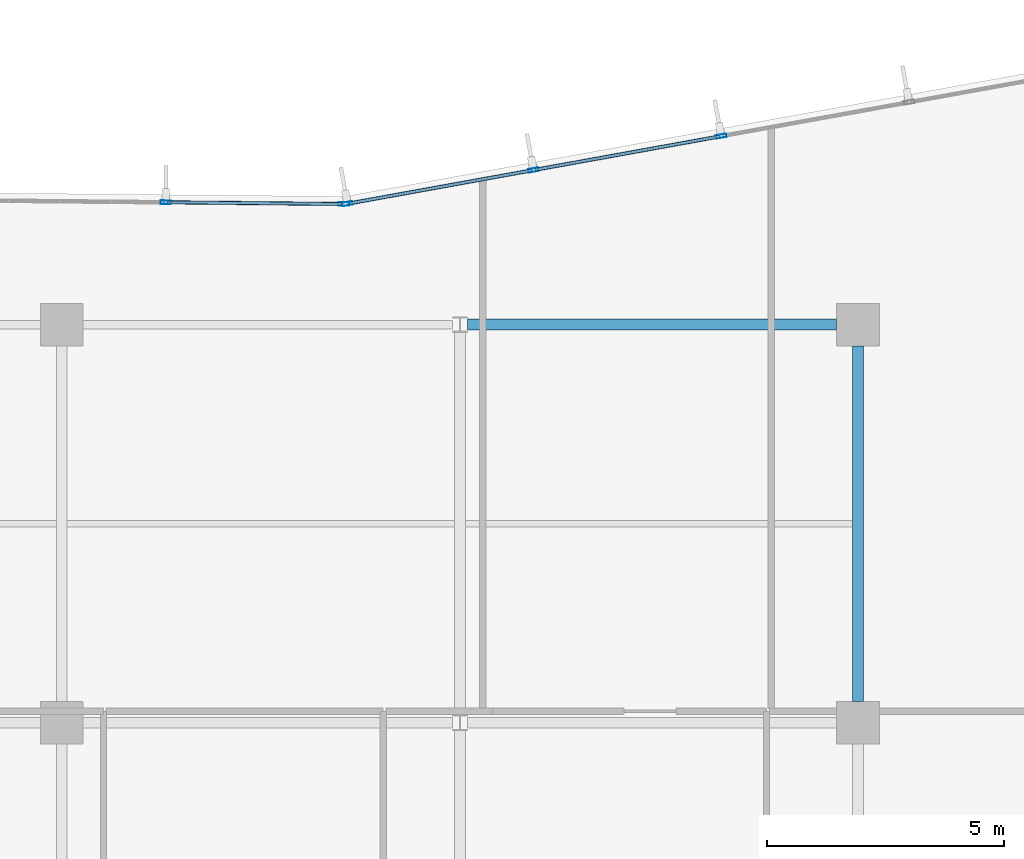
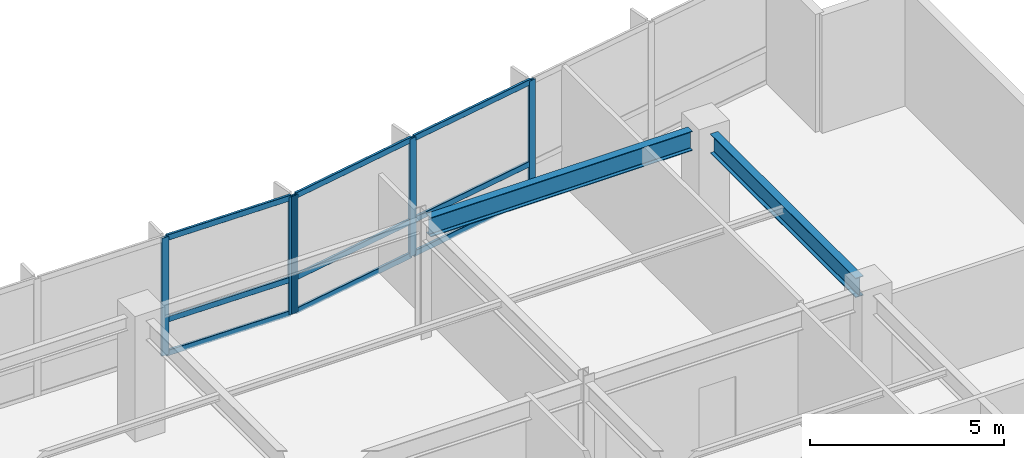
# One storey, part 6 of 18: 14 members, 2 beams, 2 elements without a shape of their own.
"""IFC4 building model written with IfcOpenShell, lengths in metres."""

import ifcopenshell
import ifcopenshell.guid

model = None  # the IFC model being written
_history = None  # IfcOwnerHistory: only IFC2X3 demands one
_inside = {}  # id of a spatial element -> (the spatial element, [elements in it])
_under = {}  # id of a project, library or spatial element -> (it, [spatial elements below it])
_declared = {}  # id of a project -> (the project, [libraries it declares])
_typed = {}  # id of a type object -> (the type object, [elements of that type])
_made_of = {}  # id of a material, layer set ... -> (it, [elements and type objects made of it])


def new_model(schema):
    """Start an empty IFC model of exactly this schema.

    Asked for "IFC4X3", IfcOpenShell would pick the latest addendum, in which some entities
    have other attributes; the version numbers below select the first issue.
    IFC2X3 requires an IfcOwnerHistory on every rooted entity: one is made here for all.
    """
    global model, _history
    if schema == "IFC4X3":
        model = ifcopenshell.file(schema_version=(4, 3, 0, 0))
    else:
        model = ifcopenshell.file(schema=schema)
    _inside.clear()
    _under.clear()
    _declared.clear()
    _typed.clear()
    _made_of.clear()
    _history = None
    if model.schema == "IFC2X3":
        org = make("IfcOrganization", Name="unknown")
        user = make(
            "IfcPersonAndOrganization",
            ThePerson=make("IfcPerson", FamilyName="unknown"),
            TheOrganization=org,
        )
        app = make(
            "IfcApplication",
            ApplicationDeveloper=org,
            Version="unknown",
            ApplicationFullName="unknown",
            ApplicationIdentifier="unknown",
        )
        _history = make(
            "IfcOwnerHistory",
            OwningUser=user,
            OwningApplication=app,
            ChangeAction="ADDED",
            CreationDate=0,
        )
    return model


def make(cls, **values):
    """One entity of the class cls with the attributes given. An attribute that is None is left unset."""
    return model.create_entity(
        cls, **{name: value for name, value in values.items() if value is not None}
    )


def rooted(cls, **values):
    """An entity with a GlobalId (a new one), such as an element, a storey or a relation."""
    return make(cls, GlobalId=ifcopenshell.guid.new(), OwnerHistory=_history, **values)


def si_unit(unit_type, name, prefix=None):
    """IfcSIUnit, for example si_unit("LENGTHUNIT", "METRE", prefix="MILLI")."""
    return make("IfcSIUnit", UnitType=unit_type, Prefix=prefix, Name=name)


def assignment(units):
    """IfcUnitAssignment: the units of a project."""
    return None if units is None else make("IfcUnitAssignment", Units=units)


def point(xyz):
    """IfcCartesianPoint."""
    return None if xyz is None else make("IfcCartesianPoint", Coordinates=xyz)


def direction(xyz):
    """IfcDirection."""
    return None if xyz is None else make("IfcDirection", DirectionRatios=xyz)


def frame(location, z_axis=None, x_axis=None):
    """IfcAxis2Placement3D, a coordinate frame: its origin and axes. An axis left out is left unset."""
    return make(
        "IfcAxis2Placement3D",
        Location=point(location),
        Axis=direction(z_axis),
        RefDirection=direction(x_axis),
    )


def frame_2d(location, x_axis=None):
    """IfcAxis2Placement2D, a coordinate frame in the plane: its origin and x axis."""
    return make(
        "IfcAxis2Placement2D", Location=point(location), RefDirection=direction(x_axis)
    )


def origin():
    """The frame at (0, 0, 0) with its axes left unset."""
    return frame((0.0, 0.0, 0.0))


def origin_2d():
    """The frame at (0, 0) in the plane with its x axis left unset."""
    return frame_2d((0.0, 0.0))


def place(relative_to, where):
    """IfcLocalPlacement: puts the frame where relative to a parent placement (None: the world)."""
    return make(
        "IfcLocalPlacement", PlacementRelTo=relative_to, RelativePlacement=where
    )


def context(
    kind, dimensions, precision=None, world=None, true_north=None, identifier=None
):
    """IfcGeometricRepresentationContext, for example the 3D "Model" context."""
    return make(
        "IfcGeometricRepresentationContext",
        ContextIdentifier=identifier,
        ContextType=kind,
        CoordinateSpaceDimension=dimensions,
        Precision=precision,
        WorldCoordinateSystem=world,
        TrueNorth=true_north,
    )


def subcontext(parent, identifier, kind, view, scale=None):
    """IfcGeometricRepresentationSubContext, for example "Body" below "Model"."""
    return make(
        "IfcGeometricRepresentationSubContext",
        ContextIdentifier=identifier,
        ContextType=kind,
        ParentContext=parent,
        TargetScale=scale,
        TargetView=view,
    )


def project(units=None, contexts=None):
    """IfcProject with its units and contexts."""
    return rooted(
        "IfcProject",
        Name="project",
        RepresentationContexts=contexts,
        UnitsInContext=assignment(units),
    )


def spatial(cls, under=None, at=None, **own):
    """A site, building, storey or space (cls), placed at a placement, below another one or the project."""
    s = rooted(cls, ObjectPlacement=at, **own)
    if under is not None:
        _under.setdefault(under.id(), (under, []))[1].append(s)
    return s


def profile(cls, at=None, kind="AREA", **sizes):
    """A parametric profile (cls). Its sizes go by their IFC names, for example OverallWidth=200.0."""
    return make(cls, ProfileType=kind, Position=at, **sizes)


def hollow_rectangle(**sizes):
    """IfcRectangleHollowProfileDef."""
    return profile("IfcRectangleHollowProfileDef", **sizes)


def i_section(**sizes):
    """IfcIShapeProfileDef."""
    return profile("IfcIShapeProfileDef", **sizes)


def extrude(swept, where, along, depth):
    """IfcExtrudedAreaSolid: the profile swept, set in the frame where, extruded along a direction by depth."""
    return make(
        "IfcExtrudedAreaSolid",
        SweptArea=swept,
        Position=where,
        ExtrudedDirection=direction(along),
        Depth=depth,
    )


def shape(context_of_items, identifier, shape_type, items):
    """IfcShapeRepresentation: the items that make up one representation, for example the "Body"."""
    return make(
        "IfcShapeRepresentation",
        ContextOfItems=context_of_items,
        RepresentationIdentifier=identifier,
        RepresentationType=shape_type,
        Items=items,
    )


def material(Name=None, Category=None):
    """IfcMaterial."""
    return make("IfcMaterial", Name=Name, Category=Category)


def layer(
    of_material, thickness, ventilated=None, Name=None, Category=None, Priority=None
):
    """IfcMaterialLayer: one layer of a wall or slab, of a material (None: an air gap)."""
    return make(
        "IfcMaterialLayer",
        Material=of_material,
        LayerThickness=thickness,
        IsVentilated=ventilated,
        Name=Name,
        Category=Category,
        Priority=Priority,
    )


def layer_set(layers, Name=None):
    """IfcMaterialLayerSet."""
    return make("IfcMaterialLayerSet", MaterialLayers=layers, LayerSetName=Name)


def material_profile(
    of_material, cross_section, Name=None, Category=None, Priority=None
):
    """IfcMaterialProfile: a cross section and its material."""
    return make(
        "IfcMaterialProfile",
        Name=Name,
        Material=of_material,
        Profile=cross_section,
        Priority=Priority,
        Category=Category,
    )


def profile_set(profiles, Name=None, composite=None):
    """IfcMaterialProfileSet."""
    return make(
        "IfcMaterialProfileSet",
        Name=Name,
        MaterialProfiles=profiles,
        CompositeProfile=composite,
    )


def made_of(thing, what):
    """Note that an element or type object is made of a material, layer set ...; save() writes the relation."""
    if what is not None:
        _made_of.setdefault(what.id(), (what, []))[1].append(thing)
    return thing


def type_object(cls, material=None, **own):
    """A type object (cls), such as IfcWallType, which elements share."""
    return made_of(rooted(cls, **own), material)


def element(
    cls,
    number,
    at=None,
    inside=None,
    cuts=None,
    type_object=None,
    material=None,
    context=None,
    identifier="Body",
    shape_type=None,
    held_by="IfcProductDefinitionShape",
    body=None,
    shapes=None,
    **own,
):
    """One element of the class cls, such as IfcWall. Its Tag is "e" and its number.

    at: its placement. inside: the storey or other place that contains it. cuts: it is an
    opening in that element (IfcRelVoidsElement). A single representation is given by context,
    identifier, shape_type and body (its items); several are given by shapes. held_by: the class
    of the entity that holds the representations. save() writes the other relations.
    """
    e = rooted(cls, Tag="e%d" % number, ObjectPlacement=at, **own)
    if body is not None:
        shapes = [shape(context, identifier, shape_type, body)]
    if shapes is not None:
        e.Representation = make(held_by, Representations=shapes)
    if inside is not None:
        _inside.setdefault(inside.id(), (inside, []))[1].append(e)
    if cuts is not None:
        rooted(
            "IfcRelVoidsElement", RelatingBuildingElement=cuts, RelatedOpeningElement=e
        )
    if type_object is not None:
        _typed.setdefault(type_object.id(), (type_object, []))[1].append(e)
    return made_of(e, material)


def aggregate(whole, parts):
    """IfcRelAggregates: a whole, such as a stair, and the parts it consists of."""
    return rooted("IfcRelAggregates", RelatingObject=whole, RelatedObjects=parts)


def save(model, path):
    """Write the relations noted so far, then the file.

    IfcRelAggregates (storeys below a building ...), IfcRelContainedInSpatialStructure (elements
    in a storey), IfcRelDefinesByType, IfcRelAssociatesMaterial and IfcRelDeclares: one each for
    every whole, place, type object, material and project.
    """
    for whole, parts in _under.values():
        aggregate(whole, parts)
    for where, things in _inside.values():
        rooted(
            "IfcRelContainedInSpatialStructure",
            RelatedElements=things,
            RelatingStructure=where,
        )
    for kind, things in _typed.values():
        rooted("IfcRelDefinesByType", RelatedObjects=things, RelatingType=kind)
    for what, things in _made_of.values():
        rooted("IfcRelAssociatesMaterial", RelatedObjects=things, RelatingMaterial=what)
    for by, libraries in _declared.values():
        rooted("IfcRelDeclares", RelatingContext=by, RelatedDefinitions=libraries)
    model.write(path)


model = new_model("IFC4")

# Units and contexts
model_context = context("Model", 3, precision=1e-05, world=origin(), true_north=direction((0.0, 1.0)))
body_context = subcontext(model_context, "Body", "Model", "MODEL_VIEW")
ifc_project = project(units=[si_unit("LENGTHUNIT", "METRE"), si_unit("AREAUNIT", "SQUARE_METRE"), si_unit("VOLUMEUNIT", "CUBIC_METRE"), si_unit("PLANEANGLEUNIT", "RADIAN"), si_unit("MASSUNIT", "GRAM", prefix="KILO")], contexts=[model_context])

# Site, building, storey
site_placement = place(None, origin())
site = spatial("IfcSite", under=ifc_project, at=site_placement, CompositionType="ELEMENT")
building_placement = place(site_placement, origin())
building = spatial("IfcBuilding", under=site, at=building_placement, Name="Varnakote Quay Hospital", CompositionType="ELEMENT")
storey_placement = place(building_placement, frame((0.0, 0.0, 73.85009765625)))
storey = spatial("IfcBuildingStorey", under=building, at=storey_placement, Name="L18", CompositionType="ELEMENT", Elevation=73.85009765625)

# Beams
ifc_material_1 = material(Name="Structural steel AS/NZS 3679.1 Grade 350 L0 (fy 340 MPa)", Category="steel")
ifc_material_profile_1 = material_profile(ifc_material_1, i_section(OverallWidth=0.22900390625, OverallDepth=0.612060546875, WebThickness=0.011962890625, FlangeThickness=0.01953125, FilletRadius=0.013916015625, at=origin_2d()), Name="610UB125")
ifc_profile_set_1 = profile_set([ifc_material_profile_1], Name="Structural steel AS/NZS 3679.1 Grade 350 L0 (fy 340 MPa)")
beam_type = type_object("IfcBeamType", Name="BM-STL-610UB125", PredefinedType="BEAM", material=ifc_profile_set_1)
beam_1_placement = place(storey_placement, frame((42.155517578125, 28.800048828125, 3.40380859375), z_axis=(1.0, 0.0, 0.0), x_axis=(0.0, 1.0, 0.0)))
element("IfcBeam", 1, at=beam_1_placement, inside=storey, type_object=beam_type, Name="L18 Primary Floor Beam", PredefinedType="BEAM", context=body_context, shape_type="SweptSolid", body=[
    extrude(i_section(OverallWidth=0.22900390625, OverallDepth=0.612060546875, WebThickness=0.011962890625, FlangeThickness=0.01953125, FilletRadius=0.013916015625, at=origin_2d()), origin(), (0.0, 0.0, 1.0), 7.79443359375),
])
beam_2_placement = place(storey_placement, frame((50.39990234375, 20.85009765625, 3.40380859375), z_axis=(0.0, 1.0, 0.0), x_axis=(-1.0, 0.0, 0.0)))
element("IfcBeam", 2, at=beam_2_placement, inside=storey, type_object=beam_type, Name="L18 Primary Tie Beam", PredefinedType="BEAM", context=body_context, shape_type="SweptSolid", body=[
    extrude(i_section(OverallWidth=0.22900390625, OverallDepth=0.612060546875, WebThickness=0.011962890625, FlangeThickness=0.01953125, FilletRadius=0.013916015625, at=origin_2d()), origin(), (0.0, 0.0, 1.0), 7.5),
])

# Curtain wall, members
ifc_material_2 = material(Name="Anodised aluminium 6063-T6 Bronze", Category="aluminium")
ifc_layer = layer(ifc_material_2, 0.18994140625)
ifc_layer_set = layer_set([ifc_layer], Name="Anodised aluminium 6063-T6 Bronze")
curtain_wall_type = type_object("IfcCurtainWallType", Name="CW-SYS-2", PredefinedType="NOTDEFINED", material=ifc_layer_set)
curtain_wall_1_placement = place(storey_placement, origin())
curtain_wall_1 = element("IfcCurtainWall", 3, at=curtain_wall_1_placement, inside=storey, type_object=curtain_wall_type, Name="L18 Unitised Bronze Curtain Wall 1", PredefinedType="NOTDEFINED")
ifc_material_3 = material(Name="Anodised aluminium 6063-T6 Bronze", Category="aluminium")
ifc_material_profile_2 = material_profile(ifc_material_3, hollow_rectangle(XDim=0.074951171875, YDim=0.219970703125, WallThickness=0.00439453125, InnerFilletRadius=0.00439453125, OuterFilletRadius=0.009033203125, at=origin_2d()), Name="CW-MULL-220x75")
ifc_profile_set_2 = profile_set([ifc_material_profile_2], Name="Anodised aluminium 6063-T6 Bronze")
member_type_1 = type_object("IfcMemberType", Name="CW-MULL-220x75", PredefinedType="MULLION", material=ifc_profile_set_2)
member_1_placement = place(storey_placement, frame((47.514892578125, 32.776123046875, 0.0), z_axis=(0.0, 0.0, 1.0), x_axis=(0.177846199098, -0.984058295766, 0.0)))
member_1 = element("IfcMember", 4, at=member_1_placement, type_object=member_type_1, Name="-2-L18-1 mullion 3", PredefinedType="MULLION", context=body_context, shape_type="SweptSolid", body=[
    extrude(hollow_rectangle(XDim=0.074951171875, YDim=0.219970703125, WallThickness=0.00439453125, InnerFilletRadius=0.00439453125, OuterFilletRadius=0.009033203125, at=origin_2d()), origin(), (0.0, 0.0, 1.0), 3.7099609375),
])
member_2_placement = place(storey_placement, frame((43.55224609375, 32.06005859375, 0.0), z_axis=(0.0, 0.0, 1.0), x_axis=(0.177846199098, -0.984058295766, 0.0)))
member_2 = element("IfcMember", 5, at=member_2_placement, type_object=member_type_1, Name="-2-L18-1 mullion 4", PredefinedType="MULLION", context=body_context, shape_type="SweptSolid", body=[
    extrude(hollow_rectangle(XDim=0.074951171875, YDim=0.219970703125, WallThickness=0.00439453125, InnerFilletRadius=0.00439453125, OuterFilletRadius=0.009033203125, at=origin_2d()), origin(), (0.0, 0.0, 1.0), 3.7099609375),
])
member_3_placement = place(storey_placement, frame((39.62646484375, 31.3505859375, 0.0), z_axis=(0.0, 0.0, 1.0), x_axis=(0.177846199098, -0.984058295766, 0.0)))
member_3 = element("IfcMember", 6, at=member_3_placement, type_object=member_type_1, Name="-2-L18-1 mullion 5", PredefinedType="MULLION", context=body_context, shape_type="SweptSolid", body=[
    extrude(hollow_rectangle(XDim=0.074951171875, YDim=0.219970703125, WallThickness=0.00439453125, InnerFilletRadius=0.00439453125, OuterFilletRadius=0.009033203125, at=origin_2d()), origin(), (0.0, 0.0, 1.0), 3.7099609375),
])

curtain_wall_2_placement = place(storey_placement, origin())
curtain_wall_2 = element("IfcCurtainWall", 7, at=curtain_wall_2_placement, inside=storey, type_object=curtain_wall_type, Name="L18 Unitised Bronze Curtain Wall 2", PredefinedType="NOTDEFINED")
member_4_placement = place(storey_placement, frame((39.552001953125, 31.34423828125, 0.0), z_axis=(0.0, 0.0, 1.0), x_axis=(-0.009774266312, -0.999952230718, 0.0)))
member_4 = element("IfcMember", 8, at=member_4_placement, type_object=member_type_1, Name="-2-L18-2 mullion 1", PredefinedType="MULLION", context=body_context, shape_type="SweptSolid", body=[
    extrude(hollow_rectangle(XDim=0.074951171875, YDim=0.219970703125, WallThickness=0.00439453125, InnerFilletRadius=0.00439453125, OuterFilletRadius=0.009033203125, at=origin_2d()), origin(), (0.0, 0.0, 1.0), 3.7099609375),
])
member_5_placement = place(storey_placement, frame((35.794189453125, 31.381103515625, 0.0), z_axis=(0.0, 0.0, 1.0), x_axis=(-0.009774266312, -0.999952230718, 0.0)))
member_5 = element("IfcMember", 9, at=member_5_placement, type_object=member_type_1, Name="-2-L18-2 mullion 2", PredefinedType="MULLION", context=body_context, shape_type="SweptSolid", body=[
    extrude(hollow_rectangle(XDim=0.074951171875, YDim=0.219970703125, WallThickness=0.00439453125, InnerFilletRadius=0.00439453125, OuterFilletRadius=0.009033203125, at=origin_2d()), origin(), (0.0, 0.0, 1.0), 3.7099609375),
])

# Member
ifc_material_4 = material(Name="Anodised aluminium 6063-T6 Bronze", Category="aluminium")
ifc_material_profile_3 = material_profile(ifc_material_4, hollow_rectangle(XDim=0.074951171875, YDim=0.179931640625, WallThickness=0.004150390625, InnerFilletRadius=0.004150390625, OuterFilletRadius=0.00830078125, at=origin_2d()), Name="CW-TRAN-180x75")
ifc_profile_set_3 = profile_set([ifc_material_profile_3], Name="Anodised aluminium 6063-T6 Bronze")
member_type_2 = type_object("IfcMemberType", Name="CW-TRAN-180x75", PredefinedType="USERDEFINED", material=ifc_profile_set_3)
member_6_placement = place(storey_placement, frame((47.477783203125, 32.76953125, 0.037353515625), z_axis=(-0.98405423478, -0.177868667876, 0.0), x_axis=(0.177868667876, -0.98405423478, 0.0)))
member_6 = element("IfcMember", 10, at=member_6_placement, type_object=member_type_2, Name="-2-L18-1 transom 3.1", ObjectType="TRANSOM", PredefinedType="USERDEFINED", context=body_context, shape_type="SweptSolid", body=[
    extrude(hollow_rectangle(XDim=0.074951171875, YDim=0.179931640625, WallThickness=0.004150390625, InnerFilletRadius=0.004150390625, OuterFilletRadius=0.00830078125, at=origin_2d()), origin(), (0.0, 0.0, 1.0), 3.95166015625),
])

member_7_placement = place(storey_placement, frame((47.477783203125, 32.76953125, 1.099853515625), z_axis=(-0.98405423478, -0.177868667876, 0.0), x_axis=(0.177868667876, -0.98405423478, 0.0)))
member_7 = element("IfcMember", 11, at=member_7_placement, type_object=member_type_2, Name="-2-L18-1 transom 3.2", ObjectType="TRANSOM", PredefinedType="USERDEFINED", context=body_context, shape_type="SweptSolid", body=[
    extrude(hollow_rectangle(XDim=0.074951171875, YDim=0.179931640625, WallThickness=0.004150390625, InnerFilletRadius=0.004150390625, OuterFilletRadius=0.00830078125, at=origin_2d()), origin(), (0.0, 0.0, 1.0), 3.95166015625),
])

member_8_placement = place(storey_placement, frame((47.477783203125, 32.76953125, 3.67236328125), z_axis=(-0.98405423478, -0.177868667876, 0.0), x_axis=(0.177868667876, -0.98405423478, 0.0)))
member_8 = element("IfcMember", 12, at=member_8_placement, type_object=member_type_2, Name="-2-L18-1 transom 3.3", ObjectType="TRANSOM", PredefinedType="USERDEFINED", context=body_context, shape_type="SweptSolid", body=[
    extrude(hollow_rectangle(XDim=0.074951171875, YDim=0.179931640625, WallThickness=0.004150390625, InnerFilletRadius=0.004150390625, OuterFilletRadius=0.00830078125, at=origin_2d()), origin(), (0.0, 0.0, 1.0), 3.95166015625),
])

member_9_placement = place(storey_placement, frame((43.515380859375, 32.053466796875, 0.037353515625), z_axis=(-0.984053005206, -0.177875470329, 0.0), x_axis=(0.177875470329, -0.984053005206, 0.0)))
member_9 = element("IfcMember", 13, at=member_9_placement, type_object=member_type_2, Name="-2-L18-1 transom 4.1", ObjectType="TRANSOM", PredefinedType="USERDEFINED", context=body_context, shape_type="SweptSolid", body=[
    extrude(hollow_rectangle(XDim=0.074951171875, YDim=0.179931640625, WallThickness=0.004150390625, InnerFilletRadius=0.004150390625, OuterFilletRadius=0.00830078125, at=origin_2d()), origin(), (0.0, 0.0, 1.0), 3.91455078125),
])

member_10_placement = place(storey_placement, frame((43.515380859375, 32.053466796875, 1.099853515625), z_axis=(-0.984053005206, -0.177875470329, 0.0), x_axis=(0.177875470329, -0.984053005206, 0.0)))
member_10 = element("IfcMember", 14, at=member_10_placement, type_object=member_type_2, Name="-2-L18-1 transom 4.2", ObjectType="TRANSOM", PredefinedType="USERDEFINED", context=body_context, shape_type="SweptSolid", body=[
    extrude(hollow_rectangle(XDim=0.074951171875, YDim=0.179931640625, WallThickness=0.004150390625, InnerFilletRadius=0.004150390625, OuterFilletRadius=0.00830078125, at=origin_2d()), origin(), (0.0, 0.0, 1.0), 3.91455078125),
])

member_11_placement = place(storey_placement, frame((43.515380859375, 32.053466796875, 3.67236328125), z_axis=(-0.984053005206, -0.177875470329, 0.0), x_axis=(0.177875470329, -0.984053005206, 0.0)))
member_11 = element("IfcMember", 15, at=member_11_placement, type_object=member_type_2, Name="-2-L18-1 transom 4.3", ObjectType="TRANSOM", PredefinedType="USERDEFINED", context=body_context, shape_type="SweptSolid", body=[
    extrude(hollow_rectangle(XDim=0.074951171875, YDim=0.179931640625, WallThickness=0.004150390625, InnerFilletRadius=0.004150390625, OuterFilletRadius=0.00830078125, at=origin_2d()), origin(), (0.0, 0.0, 1.0), 3.91455078125),
])

aggregate(curtain_wall_1, [member_1, member_2, member_3, member_6, member_7, member_8, member_9, member_10, member_11])

member_12_placement = place(storey_placement, frame((39.5146484375, 31.3447265625, 0.037353515625), z_axis=(-0.99995252931, 0.009743671073, 0.0), x_axis=(-0.009743671073, -0.99995252931, 0.0)))
member_12 = element("IfcMember", 16, at=member_12_placement, type_object=member_type_2, Name="-2-L18-2 transom 1.1", ObjectType="TRANSOM", PredefinedType="USERDEFINED", context=body_context, shape_type="SweptSolid", body=[
    extrude(hollow_rectangle(XDim=0.074951171875, YDim=0.179931640625, WallThickness=0.004150390625, InnerFilletRadius=0.004150390625, OuterFilletRadius=0.00830078125, at=origin_2d()), origin(), (0.0, 0.0, 1.0), 3.683349609375),
])

member_13_placement = place(storey_placement, frame((39.5146484375, 31.3447265625, 1.099853515625), z_axis=(-0.99995252931, 0.009743671073, 0.0), x_axis=(-0.009743671073, -0.99995252931, 0.0)))
member_13 = element("IfcMember", 17, at=member_13_placement, type_object=member_type_2, Name="-2-L18-2 transom 1.2", ObjectType="TRANSOM", PredefinedType="USERDEFINED", context=body_context, shape_type="SweptSolid", body=[
    extrude(hollow_rectangle(XDim=0.074951171875, YDim=0.179931640625, WallThickness=0.004150390625, InnerFilletRadius=0.004150390625, OuterFilletRadius=0.00830078125, at=origin_2d()), origin(), (0.0, 0.0, 1.0), 3.683349609375),
])

member_14_placement = place(storey_placement, frame((39.5146484375, 31.3447265625, 3.67236328125), z_axis=(-0.99995252931, 0.009743671073, 0.0), x_axis=(-0.009743671073, -0.99995252931, 0.0)))
member_14 = element("IfcMember", 18, at=member_14_placement, type_object=member_type_2, Name="-2-L18-2 transom 1.3", ObjectType="TRANSOM", PredefinedType="USERDEFINED", context=body_context, shape_type="SweptSolid", body=[
    extrude(hollow_rectangle(XDim=0.074951171875, YDim=0.179931640625, WallThickness=0.004150390625, InnerFilletRadius=0.004150390625, OuterFilletRadius=0.00830078125, at=origin_2d()), origin(), (0.0, 0.0, 1.0), 3.683349609375),
])

aggregate(curtain_wall_2, [member_4, member_5, member_12, member_13, member_14])

save(model, "model.ifc")
